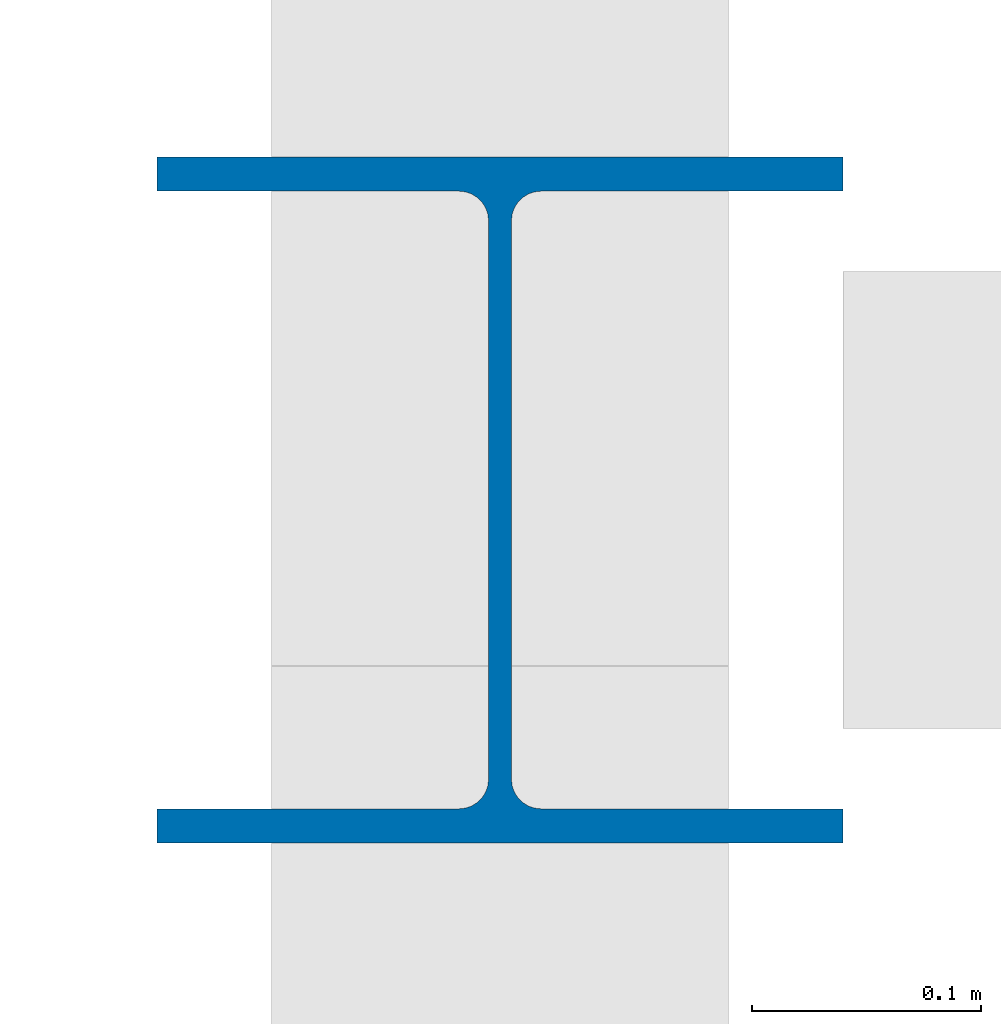
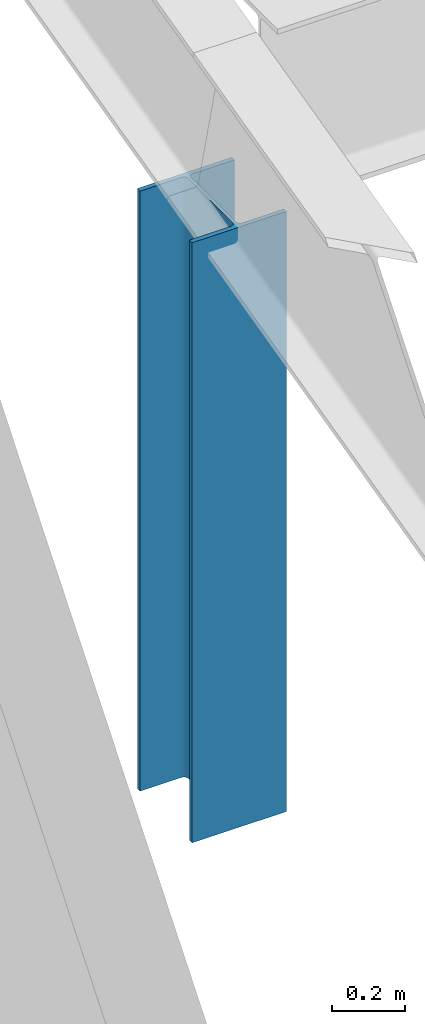
# One storey, part 9 of 93: 1 column.
"""IFC4 building model written with IfcOpenShell, lengths in metres."""

import ifcopenshell
import ifcopenshell.guid

model = None  # the IFC model being written
_history = None  # IfcOwnerHistory: only IFC2X3 demands one
_inside = {}  # id of a spatial element -> (the spatial element, [elements in it])
_under = {}  # id of a project, library or spatial element -> (it, [spatial elements below it])
_declared = {}  # id of a project -> (the project, [libraries it declares])
_typed = {}  # id of a type object -> (the type object, [elements of that type])
_made_of = {}  # id of a material, layer set ... -> (it, [elements and type objects made of it])


def new_model(schema):
    """Start an empty IFC model of exactly this schema.

    Asked for "IFC4X3", IfcOpenShell would pick the latest addendum, in which some entities
    have other attributes; the version numbers below select the first issue.
    IFC2X3 requires an IfcOwnerHistory on every rooted entity: one is made here for all.
    """
    global model, _history
    if schema == "IFC4X3":
        model = ifcopenshell.file(schema_version=(4, 3, 0, 0))
    else:
        model = ifcopenshell.file(schema=schema)
    _inside.clear()
    _under.clear()
    _declared.clear()
    _typed.clear()
    _made_of.clear()
    _history = None
    if model.schema == "IFC2X3":
        org = make("IfcOrganization", Name="unknown")
        user = make(
            "IfcPersonAndOrganization",
            ThePerson=make("IfcPerson", FamilyName="unknown"),
            TheOrganization=org,
        )
        app = make(
            "IfcApplication",
            ApplicationDeveloper=org,
            Version="unknown",
            ApplicationFullName="unknown",
            ApplicationIdentifier="unknown",
        )
        _history = make(
            "IfcOwnerHistory",
            OwningUser=user,
            OwningApplication=app,
            ChangeAction="ADDED",
            CreationDate=0,
        )
    return model


def make(cls, **values):
    """One entity of the class cls with the attributes given. An attribute that is None is left unset."""
    return model.create_entity(
        cls, **{name: value for name, value in values.items() if value is not None}
    )


def rooted(cls, **values):
    """An entity with a GlobalId (a new one), such as an element, a storey or a relation."""
    return make(cls, GlobalId=ifcopenshell.guid.new(), OwnerHistory=_history, **values)


def si_unit(unit_type, name, prefix=None):
    """IfcSIUnit, for example si_unit("LENGTHUNIT", "METRE", prefix="MILLI")."""
    return make("IfcSIUnit", UnitType=unit_type, Prefix=prefix, Name=name)


def assignment(units):
    """IfcUnitAssignment: the units of a project."""
    return None if units is None else make("IfcUnitAssignment", Units=units)


def point(xyz):
    """IfcCartesianPoint."""
    return None if xyz is None else make("IfcCartesianPoint", Coordinates=xyz)


def direction(xyz):
    """IfcDirection."""
    return None if xyz is None else make("IfcDirection", DirectionRatios=xyz)


def frame(location, z_axis=None, x_axis=None):
    """IfcAxis2Placement3D, a coordinate frame: its origin and axes. An axis left out is left unset."""
    return make(
        "IfcAxis2Placement3D",
        Location=point(location),
        Axis=direction(z_axis),
        RefDirection=direction(x_axis),
    )


def frame_2d(location, x_axis=None):
    """IfcAxis2Placement2D, a coordinate frame in the plane: its origin and x axis."""
    return make(
        "IfcAxis2Placement2D", Location=point(location), RefDirection=direction(x_axis)
    )


def origin():
    """The frame at (0, 0, 0) with its axes left unset."""
    return frame((0.0, 0.0, 0.0))


def origin_2d():
    """The frame at (0, 0) in the plane with its x axis left unset."""
    return frame_2d((0.0, 0.0))


def place(relative_to, where):
    """IfcLocalPlacement: puts the frame where relative to a parent placement (None: the world)."""
    return make(
        "IfcLocalPlacement", PlacementRelTo=relative_to, RelativePlacement=where
    )


def context(
    kind, dimensions, precision=None, world=None, true_north=None, identifier=None
):
    """IfcGeometricRepresentationContext, for example the 3D "Model" context."""
    return make(
        "IfcGeometricRepresentationContext",
        ContextIdentifier=identifier,
        ContextType=kind,
        CoordinateSpaceDimension=dimensions,
        Precision=precision,
        WorldCoordinateSystem=world,
        TrueNorth=true_north,
    )


def subcontext(parent, identifier, kind, view, scale=None):
    """IfcGeometricRepresentationSubContext, for example "Body" below "Model"."""
    return make(
        "IfcGeometricRepresentationSubContext",
        ContextIdentifier=identifier,
        ContextType=kind,
        ParentContext=parent,
        TargetScale=scale,
        TargetView=view,
    )


def project(units=None, contexts=None):
    """IfcProject with its units and contexts."""
    return rooted(
        "IfcProject",
        Name="project",
        RepresentationContexts=contexts,
        UnitsInContext=assignment(units),
    )


def spatial(cls, under=None, at=None, **own):
    """A site, building, storey or space (cls), placed at a placement, below another one or the project."""
    s = rooted(cls, ObjectPlacement=at, **own)
    if under is not None:
        _under.setdefault(under.id(), (under, []))[1].append(s)
    return s


def profile(cls, at=None, kind="AREA", **sizes):
    """A parametric profile (cls). Its sizes go by their IFC names, for example OverallWidth=200.0."""
    return make(cls, ProfileType=kind, Position=at, **sizes)


def i_section(**sizes):
    """IfcIShapeProfileDef."""
    return profile("IfcIShapeProfileDef", **sizes)


def extrude(swept, where, along, depth):
    """IfcExtrudedAreaSolid: the profile swept, set in the frame where, extruded along a direction by depth."""
    return make(
        "IfcExtrudedAreaSolid",
        SweptArea=swept,
        Position=where,
        ExtrudedDirection=direction(along),
        Depth=depth,
    )


def shape(context_of_items, identifier, shape_type, items):
    """IfcShapeRepresentation: the items that make up one representation, for example the "Body"."""
    return make(
        "IfcShapeRepresentation",
        ContextOfItems=context_of_items,
        RepresentationIdentifier=identifier,
        RepresentationType=shape_type,
        Items=items,
    )


def material(Name=None, Category=None):
    """IfcMaterial."""
    return make("IfcMaterial", Name=Name, Category=Category)


def material_profile(
    of_material, cross_section, Name=None, Category=None, Priority=None
):
    """IfcMaterialProfile: a cross section and its material."""
    return make(
        "IfcMaterialProfile",
        Name=Name,
        Material=of_material,
        Profile=cross_section,
        Priority=Priority,
        Category=Category,
    )


def profile_set(profiles, Name=None, composite=None):
    """IfcMaterialProfileSet."""
    return make(
        "IfcMaterialProfileSet",
        Name=Name,
        MaterialProfiles=profiles,
        CompositeProfile=composite,
    )


def made_of(thing, what):
    """Note that an element or type object is made of a material, layer set ...; save() writes the relation."""
    if what is not None:
        _made_of.setdefault(what.id(), (what, []))[1].append(thing)
    return thing


def type_object(cls, material=None, **own):
    """A type object (cls), such as IfcWallType, which elements share."""
    return made_of(rooted(cls, **own), material)


def element(
    cls,
    number,
    at=None,
    inside=None,
    cuts=None,
    type_object=None,
    material=None,
    context=None,
    identifier="Body",
    shape_type=None,
    held_by="IfcProductDefinitionShape",
    body=None,
    shapes=None,
    **own,
):
    """One element of the class cls, such as IfcWall. Its Tag is "e" and its number.

    at: its placement. inside: the storey or other place that contains it. cuts: it is an
    opening in that element (IfcRelVoidsElement). A single representation is given by context,
    identifier, shape_type and body (its items); several are given by shapes. held_by: the class
    of the entity that holds the representations. save() writes the other relations.
    """
    e = rooted(cls, Tag="e%d" % number, ObjectPlacement=at, **own)
    if body is not None:
        shapes = [shape(context, identifier, shape_type, body)]
    if shapes is not None:
        e.Representation = make(held_by, Representations=shapes)
    if inside is not None:
        _inside.setdefault(inside.id(), (inside, []))[1].append(e)
    if cuts is not None:
        rooted(
            "IfcRelVoidsElement", RelatingBuildingElement=cuts, RelatedOpeningElement=e
        )
    if type_object is not None:
        _typed.setdefault(type_object.id(), (type_object, []))[1].append(e)
    return made_of(e, material)


def aggregate(whole, parts):
    """IfcRelAggregates: a whole, such as a stair, and the parts it consists of."""
    return rooted("IfcRelAggregates", RelatingObject=whole, RelatedObjects=parts)


def save(model, path):
    """Write the relations noted so far, then the file.

    IfcRelAggregates (storeys below a building ...), IfcRelContainedInSpatialStructure (elements
    in a storey), IfcRelDefinesByType, IfcRelAssociatesMaterial and IfcRelDeclares: one each for
    every whole, place, type object, material and project.
    """
    for whole, parts in _under.values():
        aggregate(whole, parts)
    for where, things in _inside.values():
        rooted(
            "IfcRelContainedInSpatialStructure",
            RelatedElements=things,
            RelatingStructure=where,
        )
    for kind, things in _typed.values():
        rooted("IfcRelDefinesByType", RelatedObjects=things, RelatingType=kind)
    for what, things in _made_of.values():
        rooted("IfcRelAssociatesMaterial", RelatedObjects=things, RelatingMaterial=what)
    for by, libraries in _declared.values():
        rooted("IfcRelDeclares", RelatingContext=by, RelatedDefinitions=libraries)
    model.write(path)


model = new_model("IFC4")

# Units and contexts
model_context = context("Model", 3, precision=1e-05, world=origin(), true_north=direction((0.0, 1.0)))
body_context = subcontext(model_context, "Body", "Model", "MODEL_VIEW")
ifc_project = project(units=[si_unit("LENGTHUNIT", "METRE"), si_unit("AREAUNIT", "SQUARE_METRE"), si_unit("VOLUMEUNIT", "CUBIC_METRE"), si_unit("PLANEANGLEUNIT", "RADIAN"), si_unit("MASSUNIT", "GRAM", prefix="KILO")], contexts=[model_context])

# Site, building, storey
site_placement = place(None, origin())
site = spatial("IfcSite", under=ifc_project, at=site_placement, CompositionType="ELEMENT")
building_placement = place(site_placement, origin())
building = spatial("IfcBuilding", under=site, at=building_placement, Name="Kazehara Bluff Congress Hotel", CompositionType="ELEMENT")
storey_placement = place(building_placement, frame((0.0, 0.0, 15.0)))
storey = spatial("IfcBuildingStorey", under=building, at=storey_placement, Name="L03", CompositionType="ELEMENT", Elevation=15.0)

# Column
ifc_material = material(Name="Steel SN400B", Category="steel")
ifc_material_profile = material_profile(ifc_material, i_section(OverallWidth=0.300048828125, OverallDepth=0.300048828125, WebThickness=0.010009765625, FlangeThickness=0.014892578125, FilletRadius=0.012939453125, at=origin_2d()))
ifc_profile_set = profile_set([ifc_material_profile], Name="Steel SN400B")
column_type = type_object("IfcColumnType", Name="TP-C-11", PredefinedType="COLUMN", material=ifc_profile_set)
column_placement = place(storey_placement, frame((59.699951171875, 88.89990234375, 0.0), z_axis=(0.0, 0.0, 1.0), x_axis=(1.0, 0.0, 0.0)))
element("IfcColumn", 1, at=column_placement, inside=storey, type_object=column_type, Name="Spa clerestory roof post (59.70,88.90)", PredefinedType="COLUMN", context=body_context, shape_type="SweptSolid", body=[
    extrude(i_section(OverallWidth=0.300048828125, OverallDepth=0.300048828125, WebThickness=0.010009765625, FlangeThickness=0.014892578125, FilletRadius=0.012939453125, at=origin_2d()), origin(), (0.0, 0.0, 1.0), 2.010009765625),
])

save(model, "model.ifc")
